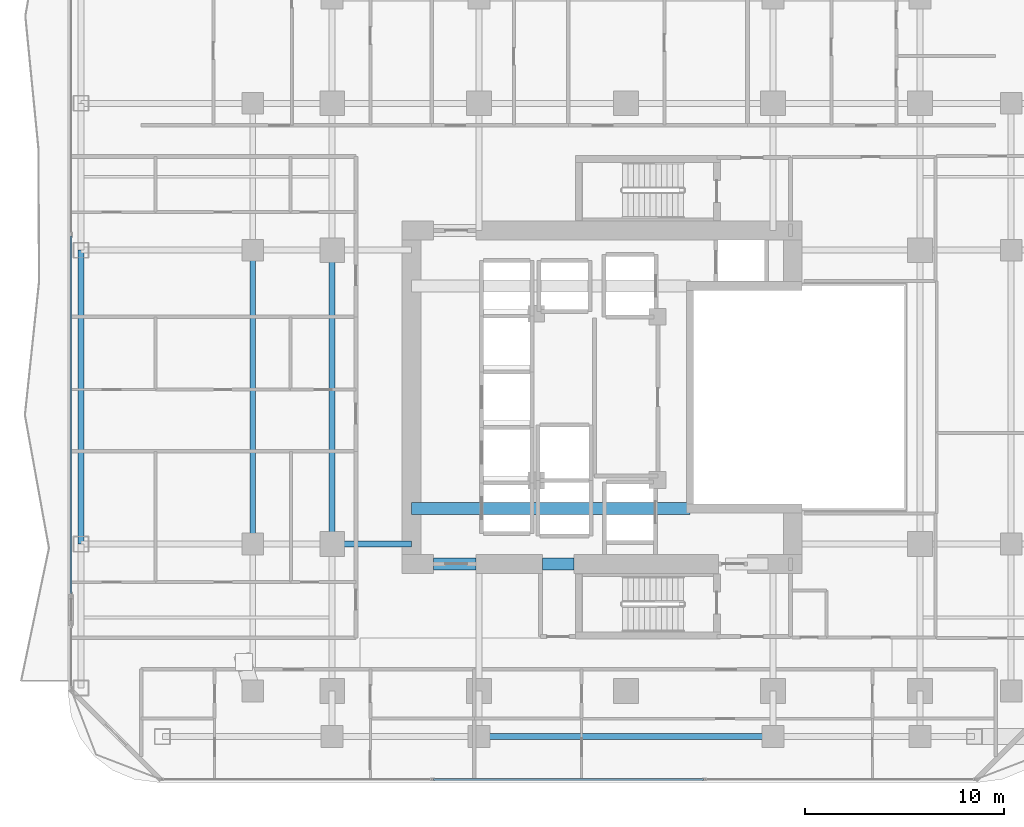
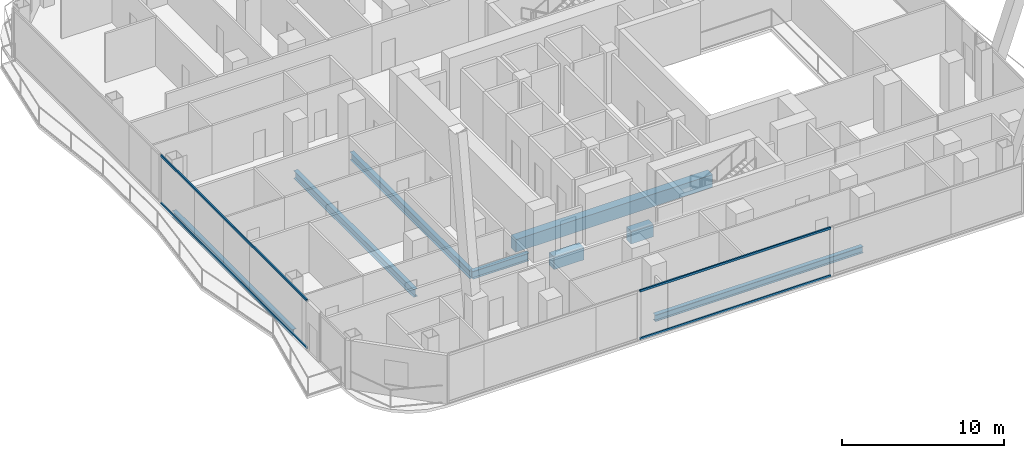
# One storey, part 6 of 32: 8 beams, 4 members, 2 elements without a shape of their own.
"""IFC4 building model written with IfcOpenShell, lengths in metres."""

from ifc_helpers import new_model, si_unit, direction, frame, origin, origin_2d, place, context, subcontext, project, spatial, rectangle, hollow_rectangle, i_section, extrude, material, layer, layer_set, material_profile, profile_set, type_object, element, aggregate, save


model = new_model("IFC4")

# Units and contexts
model_context = context("Model", 3, precision=1e-05, world=origin(), true_north=direction((0.0, 1.0)))
body_context = subcontext(model_context, "Body", "Model", "MODEL_VIEW")
ifc_project = project(units=[si_unit("LENGTHUNIT", "METRE"), si_unit("AREAUNIT", "SQUARE_METRE"), si_unit("VOLUMEUNIT", "CUBIC_METRE"), si_unit("PLANEANGLEUNIT", "RADIAN"), si_unit("MASSUNIT", "GRAM", prefix="KILO")], contexts=[model_context])

# Site, building, storey
site_placement = place(None, origin())
site = spatial("IfcSite", under=ifc_project, at=site_placement, CompositionType="ELEMENT")
building_placement = place(site_placement, origin())
building = spatial("IfcBuilding", under=site, at=building_placement, Name="Khorvyn Point Tower", CompositionType="ELEMENT")
storey_placement = place(building_placement, frame((0.0, 0.0, 93.0)))
storey = spatial("IfcBuildingStorey", under=building, at=storey_placement, Name="L23", CompositionType="ELEMENT", Elevation=93.0)

# Curtain wall, members
ifc_material_1 = material(Name="Anodised aluminium 6063-T6 and laminated Low-E glass", Category="aluminium")
ifc_layer = layer(ifc_material_1, 0.18994140625)
ifc_layer_set = layer_set([ifc_layer], Name="Stick-Built Finned Residential Curtain Wall CW-SYS-02")
curtain_wall_type = type_object("IfcCurtainWallType", Name="Stick-Built Finned Residential Curtain Wall CW-SYS-02", PredefinedType="NOTDEFINED", material=ifc_layer_set)
curtain_wall_1_placement = place(storey_placement, origin())
curtain_wall_1 = element("IfcCurtainWall", 1, at=curtain_wall_1_placement, inside=storey, type_object=curtain_wall_type, Name="Curtain Wall", PredefinedType="NOTDEFINED")
ifc_material_2 = material(Name="Anodised aluminium 6063-T6", Category="aluminium")
ifc_material_profile_1 = material_profile(ifc_material_2, hollow_rectangle(XDim=0.10009765625, YDim=0.159912109375, WallThickness=0.00439453125, at=origin_2d()))
ifc_profile_set_1 = profile_set([ifc_material_profile_1], Name="Anodised aluminium 6063-T6 ALU-TRN-100x160")
member_type = type_object("IfcMemberType", Name="Anodised Aluminium 6063-T6 Transom ALU-TRN-100x160", PredefinedType="USERDEFINED", material=ifc_profile_set_1)
member_1_placement = place(storey_placement, frame((3.89990234375, -19.25, 0.050048828125), z_axis=(-1.0, 0.0, 0.0), x_axis=(0.0, -1.0, 0.0)))
member_1 = element("IfcMember", 2, at=member_1_placement, type_object=member_type, Name="Transom", ObjectType="TRANSOM", PredefinedType="USERDEFINED", context=body_context, shape_type="SweptSolid", body=[
    extrude(hollow_rectangle(XDim=0.10009765625, YDim=0.159912109375, WallThickness=0.00439453125, at=origin_2d()), origin(), (0.0, 0.0, 1.0), 13.599853515625),
])
member_2_placement = place(storey_placement, frame((3.89990234375, -19.25, 3.6298828125), z_axis=(-1.0, 0.0, 0.0), x_axis=(0.0, -1.0, 0.0)))
member_2 = element("IfcMember", 3, at=member_2_placement, type_object=member_type, Name="Transom", ObjectType="TRANSOM", PredefinedType="USERDEFINED", context=body_context, shape_type="SweptSolid", body=[
    extrude(hollow_rectangle(XDim=0.10009765625, YDim=0.159912109375, WallThickness=0.00439453125, at=origin_2d()), origin(), (0.0, 0.0, 1.0), 13.599853515625),
])
aggregate(curtain_wall_1, [member_1, member_2])

curtain_wall_2_placement = place(storey_placement, origin())
curtain_wall_2 = element("IfcCurtainWall", 4, at=curtain_wall_2_placement, inside=storey, type_object=curtain_wall_type, Name="Curtain Wall", PredefinedType="NOTDEFINED")
member_3_placement = place(storey_placement, frame((-27.949951171875, -9.89990234375, 0.050048828125), z_axis=(0.0, 1.0, 0.0), x_axis=(-1.0, 0.0, 0.0)))
member_3 = element("IfcMember", 5, at=member_3_placement, type_object=member_type, Name="Transom", ObjectType="TRANSOM", PredefinedType="USERDEFINED", context=body_context, shape_type="SweptSolid", body=[
    extrude(hollow_rectangle(XDim=0.10009765625, YDim=0.159912109375, WallThickness=0.00439453125, at=origin_2d()), origin(), (0.0, 0.0, 1.0), 18.02490234375),
])
member_4_placement = place(storey_placement, frame((-27.949951171875, -9.89990234375, 3.6298828125), z_axis=(0.0, 1.0, 0.0), x_axis=(-1.0, 0.0, 0.0)))
member_4 = element("IfcMember", 6, at=member_4_placement, type_object=member_type, Name="Transom", ObjectType="TRANSOM", PredefinedType="USERDEFINED", context=body_context, shape_type="SweptSolid", body=[
    extrude(hollow_rectangle(XDim=0.10009765625, YDim=0.159912109375, WallThickness=0.00439453125, at=origin_2d()), origin(), (0.0, 0.0, 1.0), 18.02490234375),
])
aggregate(curtain_wall_2, [member_3, member_4])

# Beams
ifc_material_3 = material(Name="Concrete C50/60", Category="concrete")
ifc_material_profile_2 = material_profile(ifc_material_3, rectangle(XDim=0.60009765625, YDim=0.949951171875, at=origin_2d()))
ifc_profile_set_2 = profile_set([ifc_material_profile_2], Name="Concrete C50/60 RC600x950")
beam_type_1 = type_object("IfcBeamType", Name="Concrete C50/60 Beam RC600x950", PredefinedType="BEAM", material=ifc_profile_set_2)
beam_1_placement = place(storey_placement, frame((-10.800048828125, -5.60009765625, -0.695068359375), z_axis=(1.0, 0.0, 0.0), x_axis=(0.0, 1.0, 0.0)))
element("IfcBeam", 7, at=beam_1_placement, inside=storey, type_object=beam_type_1, Name="L23 Core Internal Tie Girder S", PredefinedType="BEAM", context=body_context, shape_type="SweptSolid", body=[
    extrude(rectangle(XDim=0.60009765625, YDim=0.949951171875, at=origin_2d()), origin(), (0.0, 0.0, 1.0), 14.02001953125),
])
beam_2_placement = place(storey_placement, frame((-9.699951171875, -8.39990234375, -0.695068359375), z_axis=(1.0, 0.0, 0.0), x_axis=(0.0, 1.0, 0.0)))
element("IfcBeam", 8, at=beam_2_placement, inside=storey, type_object=beam_type_1, Name="L23 Core Southwest Portal Coupling Beam", PredefinedType="BEAM", context=body_context, shape_type="SweptSolid", body=[
    extrude(rectangle(XDim=0.60009765625, YDim=0.949951171875, at=origin_2d()), origin(), (0.0, 0.0, 1.0), 2.14990234375),
])
beam_3_placement = place(storey_placement, frame((-4.199951171875, -8.39990234375, -0.695068359375), z_axis=(1.0, 0.0, 0.0), x_axis=(0.0, 1.0, 0.0)))
element("IfcBeam", 9, at=beam_3_placement, inside=storey, type_object=beam_type_1, Name="L23 Core Shuttle Portal Coupling Beam", PredefinedType="BEAM", context=body_context, shape_type="SweptSolid", body=[
    extrude(rectangle(XDim=0.60009765625, YDim=0.949951171875, at=origin_2d()), origin(), (0.0, 0.0, 1.0), 1.579833984375),
])
ifc_material_4 = material(Name="Steel S355", Category="steel")
ifc_material_profile_3 = material_profile(ifc_material_4, i_section(OverallWidth=0.300048828125, OverallDepth=0.587890625, WebThickness=0.011962890625, FlangeThickness=0.02001953125, at=origin_2d()))
ifc_profile_set_3 = profile_set([ifc_material_profile_3], Name="Steel S355 H588x300x12x20")
beam_type_2 = type_object("IfcBeamType", Name="Steel S355 Beam H588x300x12x20", PredefinedType="BEAM", material=ifc_profile_set_3)
beam_4_placement = place(storey_placement, frame((-14.800048828125, -7.39990234375, -0.513916015625), z_axis=(1.0, 0.0, 0.0), x_axis=(0.0, 1.0, 0.0)))
element("IfcBeam", 10, at=beam_4_placement, inside=storey, type_object=beam_type_2, Name="Beam", PredefinedType="BEAM", context=body_context, shape_type="SweptSolid", body=[
    extrude(i_section(OverallWidth=0.300048828125, OverallDepth=0.587890625, WebThickness=0.011962890625, FlangeThickness=0.02001953125, at=origin_2d()), origin(), (0.0, 0.0, 1.0), 4.0),
])
for number, where, z_axis, x_axis, name in (
    (11, (-14.800048828125, -7.39990234375, -0.513916015625), (0.0, 1.0, 0.0), (-1.0, 0.0, 0.0), "Beam"),
    (12, (-18.800048828125, -7.39990234375, -0.513916015625), (0.0, 1.0, 0.0), (-1.0, 0.0, 0.0), "Beam"),
):
    element("IfcBeam", number, at=place(storey_placement, frame(where, z_axis=z_axis, x_axis=x_axis)), inside=storey, type_object=beam_type_2, Name=name, PredefinedType="BEAM", context=body_context, shape_type="SweptSolid", body=[
        extrude(i_section(OverallWidth=0.300048828125, OverallDepth=0.587890625, WebThickness=0.011962890625, FlangeThickness=0.02001953125, at=origin_2d()), origin(), (0.0, 0.0, 1.0), 14.7998046875),
    ])
ifc_material_profile_4 = material_profile(ifc_material_4, i_section(OverallWidth=0.300048828125, OverallDepth=0.488037109375, WebThickness=0.010986328125, FlangeThickness=0.01806640625, at=origin_2d()))
ifc_profile_set_4 = profile_set([ifc_material_profile_4], Name="Steel S355 H488x300x11x18")
beam_type_3 = type_object("IfcBeamType", Name="Steel S355 Spandrel H488x300x11x18", PredefinedType="SPANDREL", material=ifc_profile_set_4)
for number, where, z_axis, x_axis, name in (
    (13, (-7.39990234375, -17.10009765625, -0.464111328125), (1.0, 0.0, 0.0), (0.0, 1.0, 0.0), "Beam"),
    (14, (-27.449951171875, -7.39990234375, -0.464111328125), (0.0, 1.0, 0.0), (-1.0, 0.0, 0.0), "Beam"),
):
    element("IfcBeam", number, at=place(storey_placement, frame(where, z_axis=z_axis, x_axis=x_axis)), inside=storey, type_object=beam_type_3, Name=name, PredefinedType="SPANDREL", context=body_context, shape_type="SweptSolid", body=[
        extrude(i_section(OverallWidth=0.300048828125, OverallDepth=0.488037109375, WebThickness=0.010986328125, FlangeThickness=0.01806640625, at=origin_2d()), origin(), (0.0, 0.0, 1.0), 14.7998046875),
    ])

save(model, "model.ifc")
